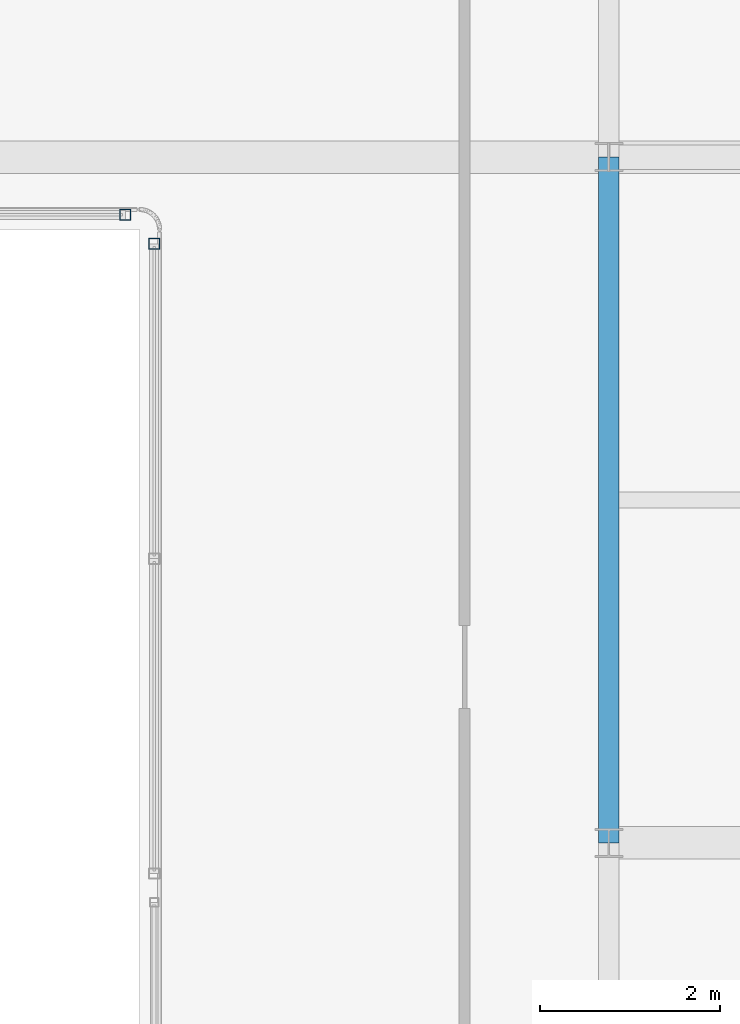
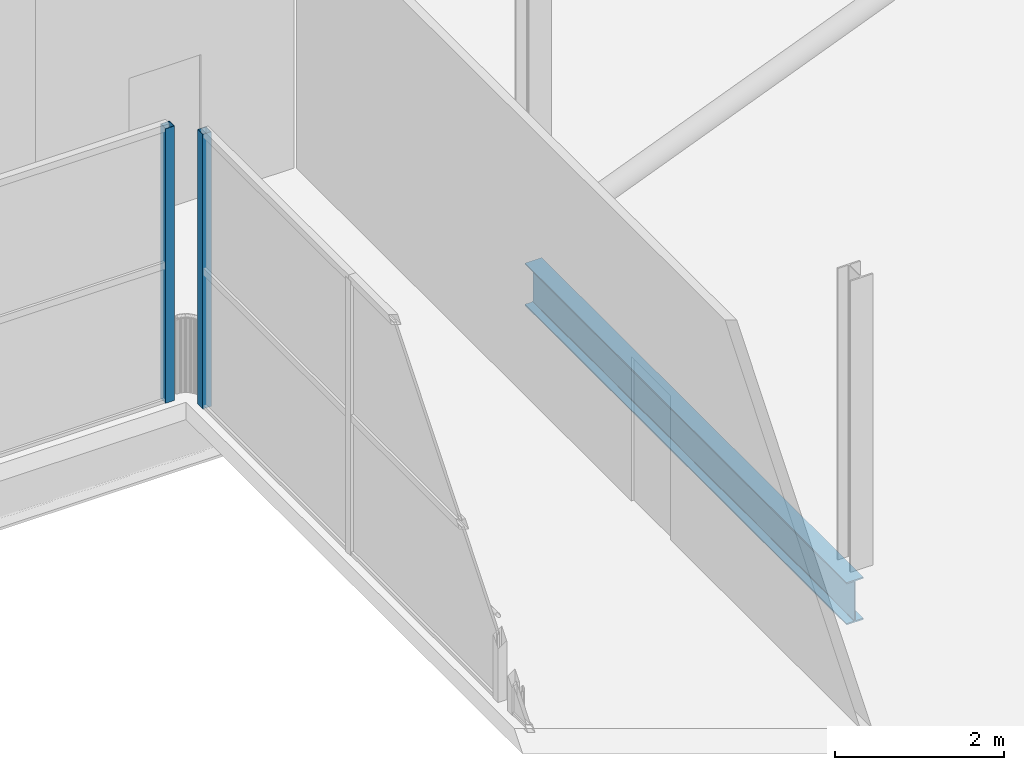
# One storey, part 103 of 151: 2 members, 1 beam, 2 elements without a shape of their own.
"""IFC4 building model written with IfcOpenShell, lengths in metres."""

from ifc_helpers import new_model, si_unit, direction, frame, origin, origin_2d, place, context, subcontext, project, spatial, hollow_rectangle, i_section, extrude, material, material_profile, profile_set, type_object, element, aggregate, save


model = new_model("IFC4")

# Units and contexts
model_context = context("Model", 3, precision=1e-05, world=origin(), true_north=direction((0.0, 1.0)))
body_context = subcontext(model_context, "Body", "Model", "MODEL_VIEW")
ifc_project = project(units=[si_unit("LENGTHUNIT", "METRE"), si_unit("AREAUNIT", "SQUARE_METRE"), si_unit("VOLUMEUNIT", "CUBIC_METRE"), si_unit("PLANEANGLEUNIT", "RADIAN"), si_unit("MASSUNIT", "GRAM", prefix="KILO")], contexts=[model_context])

# Site, building, storey
site_placement = place(None, origin())
site = spatial("IfcSite", under=ifc_project, at=site_placement, CompositionType="ELEMENT")
building_placement = place(site_placement, origin())
building = spatial("IfcBuilding", under=site, at=building_placement, Name="Zuvorla Pavilion Media Centre", CompositionType="ELEMENT")
storey_placement = place(building_placement, frame((0.0, 0.0, 13.800048828125)))
storey = spatial("IfcBuildingStorey", under=building, at=storey_placement, Name="L03", CompositionType="ELEMENT", Elevation=13.800048828125)

# Beam
ifc_material_1 = material(Name="Steel S355", Category="steel")
ifc_material_profile_1 = material_profile(ifc_material_1, i_section(OverallWidth=0.22900390625, OverallDepth=0.6123046875, WebThickness=0.011962890625, FlangeThickness=0.01953125, FilletRadius=0.0126953125, at=origin_2d()), Name="UB 610x229x125")
ifc_profile_set_1 = profile_set([ifc_material_profile_1], Name="Steel S355")
beam_type = type_object("IfcBeamType", Name="BM-UB610", PredefinedType="BEAM", material=ifc_profile_set_1)
beam_placement = place(storey_placement, frame((159.199951171875, 74.39990234375, -0.564208984375), z_axis=(0.0, 1.0, 0.0), x_axis=(-1.0, 0.0, 0.0)))
element("IfcBeam", 1, at=beam_placement, inside=storey, type_object=beam_type, Name="L03 beam B07 1226", PredefinedType="BEAM", context=body_context, shape_type="SweptSolid", body=[
    extrude(i_section(OverallWidth=0.22900390625, OverallDepth=0.6123046875, WebThickness=0.011962890625, FlangeThickness=0.01953125, FilletRadius=0.0126953125, at=origin_2d()), origin(), (0.0, 0.0, 1.0), 7.60009765625),
])

# Curtain wall, member
ifc_material_2 = material(Name="Unitised anodised aluminium and solar glass curtain wall", Category="aluminium")
curtain_wall_type_1 = type_object("IfcCurtainWallType", Name="CW-SYS-35", PredefinedType="USERDEFINED", material=ifc_material_2)
curtain_wall_1_placement = place(storey_placement, origin())
curtain_wall_1 = element("IfcCurtainWall", 2, at=curtain_wall_1_placement, inside=storey, type_object=curtain_wall_type_1, Name="L03 curtain wall CW35 185", ObjectType="CURTAIN WALL", PredefinedType="USERDEFINED")
ifc_material_3 = material(Name="Anodised aluminium 6063-T6", Category="aluminium")
ifc_material_profile_2 = material_profile(ifc_material_3, hollow_rectangle(XDim=0.1201171875, YDim=0.1201171875, WallThickness=0.0048828125, at=origin_2d()), Name="ALU MULL 120x120")
ifc_profile_set_2 = profile_set([ifc_material_profile_2], Name="Anodised aluminium 6063-T6")
member_type = type_object("IfcMemberType", Name="CW-MULL-120", PredefinedType="MULLION", material=ifc_profile_set_2)
member_1_placement = place(storey_placement, frame((153.840087890625, 81.360107421875, 0.0), z_axis=(0.0, 0.0, 1.0), x_axis=(1.0, 0.0, 0.0)))
member_1 = element("IfcMember", 3, at=member_1_placement, type_object=member_type, Name="CW35 mullion 1", PredefinedType="MULLION", context=body_context, shape_type="SweptSolid", body=[
    extrude(hollow_rectangle(XDim=0.1201171875, YDim=0.1201171875, WallThickness=0.0048828125, at=origin_2d()), origin(), (0.0, 0.0, 1.0), 3.9599609375),
])
aggregate(curtain_wall_1, [member_1])

curtain_wall_type_2 = type_object("IfcCurtainWallType", Name="CW-SYS-24", PredefinedType="USERDEFINED", material=ifc_material_2)
curtain_wall_2_placement = place(storey_placement, origin())
curtain_wall_2 = element("IfcCurtainWall", 4, at=curtain_wall_2_placement, inside=storey, type_object=curtain_wall_type_2, Name="L03 curtain wall CW24 193", ObjectType="CURTAIN WALL", PredefinedType="USERDEFINED")
member_2_placement = place(storey_placement, frame((154.159912109375, 81.0400390625, 0.0), z_axis=(0.0, 0.0, 1.0), x_axis=(1.0, 0.0, 0.0)))
member_2 = element("IfcMember", 5, at=member_2_placement, type_object=member_type, Name="CW24 mullion 3", PredefinedType="MULLION", context=body_context, shape_type="SweptSolid", body=[
    extrude(hollow_rectangle(XDim=0.1201171875, YDim=0.1201171875, WallThickness=0.0048828125, at=origin_2d()), origin(), (0.0, 0.0, 1.0), 3.9599609375),
])
aggregate(curtain_wall_2, [member_2])

save(model, "model.ifc")
